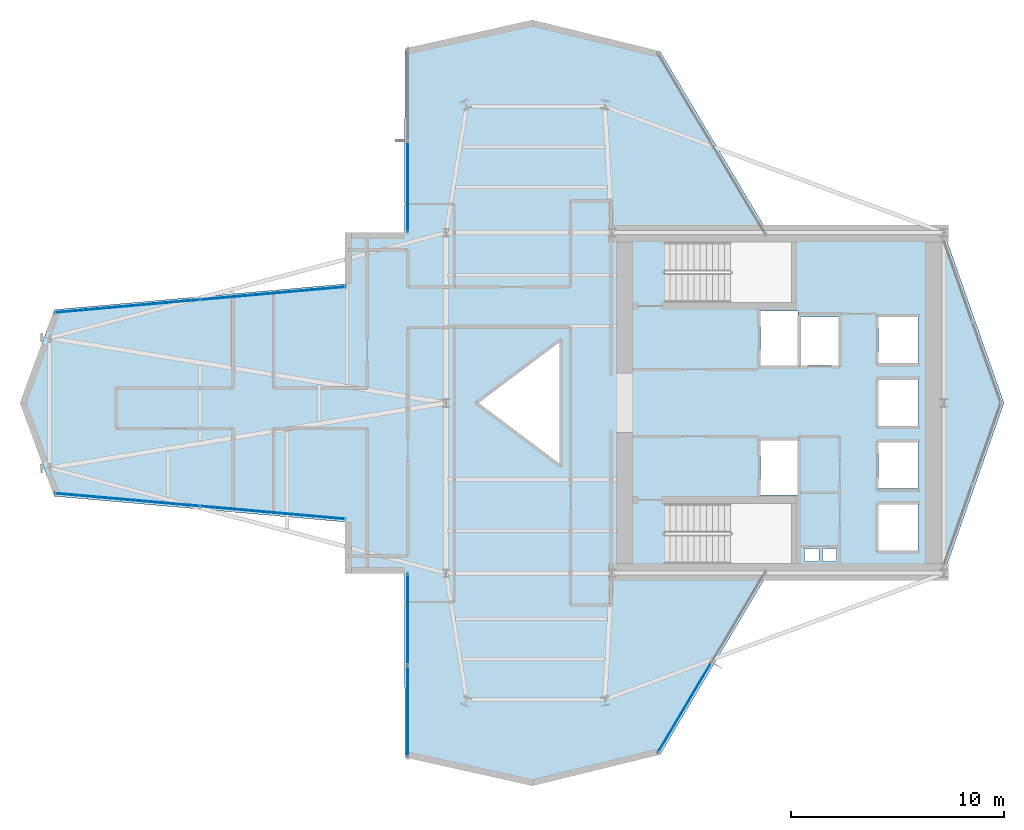
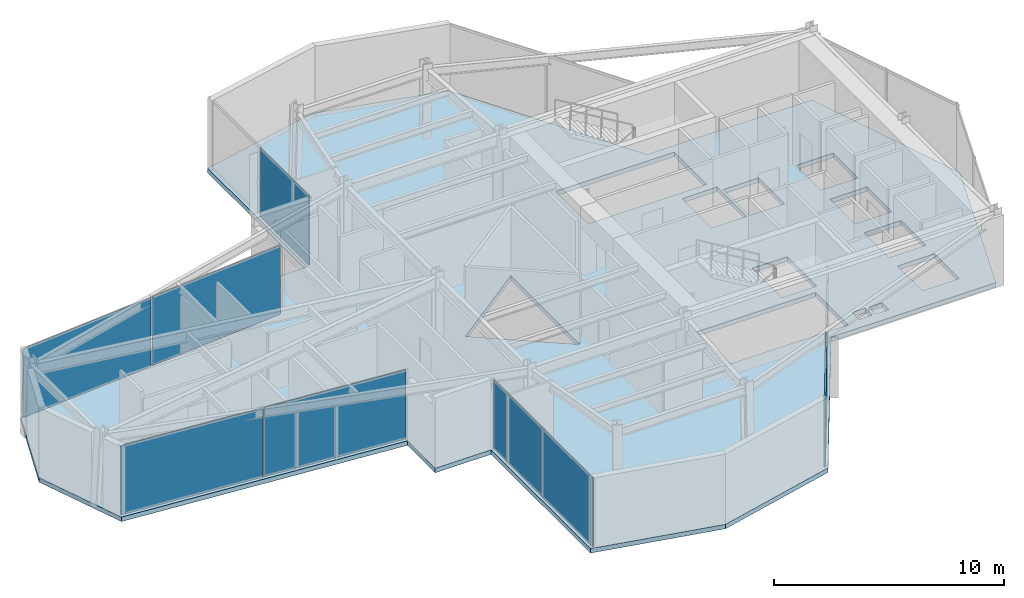
# One storey, part 18 of 23: 8 plates, 1 slab, 5 elements without a shape of their own.
"""IFC4 building model written with IfcOpenShell, lengths in metres."""

from ifc_helpers import new_model, si_unit, direction, frame, origin, origin_2d, place, context, subcontext, project, spatial, polyline, rectangle, outline, extrude, material, layer, layer_set, type_object, element, aggregate, save


model = new_model("IFC4")

# Units and contexts
model_context = context("Model", 3, precision=1e-05, world=origin(), true_north=direction((0.0, 1.0)))
body_context = subcontext(model_context, "Body", "Model", "MODEL_VIEW")
ifc_project = project(units=[si_unit("LENGTHUNIT", "METRE"), si_unit("AREAUNIT", "SQUARE_METRE"), si_unit("VOLUMEUNIT", "CUBIC_METRE"), si_unit("PLANEANGLEUNIT", "RADIAN"), si_unit("MASSUNIT", "GRAM", prefix="KILO")], contexts=[model_context])

# Site, building, storey
site_placement = place(None, origin())
site = spatial("IfcSite", under=ifc_project, at=site_placement, CompositionType="ELEMENT")
building_placement = place(site_placement, origin())
building = spatial("IfcBuilding", under=site, at=building_placement, Name="Veymaron Broadcast Tower", CompositionType="ELEMENT")
storey_placement = place(building_placement, frame((0.0, 0.0, 177.60009765625)))
storey = spatial("IfcBuildingStorey", under=building, at=storey_placement, Name="L41", CompositionType="ELEMENT", Elevation=177.60009765625)

# Curtain wall, plate
ifc_material_1 = material(Name="Anodised aluminium AA 6063-T6 and laminated low-E dark glass", Category="aluminium")
ifc_layer_1 = layer(ifc_material_1, 0.179931640625)
ifc_layer_set_1 = layer_set([ifc_layer_1], Name="Anodised aluminium AA 6063-T6 and laminated low-E dark glass")
curtain_wall_type = type_object("IfcCurtainWallType", Name="CW-SYS-03", PredefinedType="NOTDEFINED", material=ifc_layer_set_1)
curtain_wall_1_placement = place(storey_placement, origin())
curtain_wall_1 = element("IfcCurtainWall", 1, at=curtain_wall_1_placement, inside=storey, type_object=curtain_wall_type, Name="L41 dark-glass curtain wall CW-L41-E8-1", PredefinedType="NOTDEFINED")
ifc_material_2 = material(Name="Insulated dark-anodised aluminium spandrel panel 40 mm", Category="aluminium")
ifc_layer_2 = layer(ifc_material_2, 0.0400390625)
ifc_layer_set_2 = layer_set([ifc_layer_2], Name="Insulated dark-anodised aluminium spandrel panel 40 mm")
plate_type = type_object("IfcPlateType", Name="CW-PNL-03", PredefinedType="CURTAIN_PANEL", material=ifc_layer_set_2)
plate_1_placement = place(storey_placement, frame((29.397705078125, 34.160400390625, 0.0400390625), z_axis=(0.0, 0.0, 1.0), x_axis=(-0.000558505332, -0.999999844036, 0.0)))
plate_1 = element("IfcPlate", 2, at=plate_1_placement, type_object=plate_type, Name="CW-L41-E8-1 unitised curtain panel 1", PredefinedType="CURTAIN_PANEL", context=body_context, shape_type="SweptSolid", body=[
    extrude(rectangle(XDim=4.260986328125, YDim=0.0400390625, at=origin_2d()), origin(), (0.0, 0.0, 1.0), 3.64990234375),
])
aggregate(curtain_wall_1, [plate_1])

# Curtain wall, plates
curtain_wall_2_placement = place(storey_placement, origin())
curtain_wall_2 = element("IfcCurtainWall", 3, at=curtain_wall_2_placement, inside=storey, type_object=curtain_wall_type, Name="L41 dark-glass curtain wall CW-L41-E11-1", PredefinedType="NOTDEFINED")
plate_2_placement = place(storey_placement, frame((23.05419921875, 29.151611328125, 0.0400390625), z_axis=(0.0, 0.0, 1.0), x_axis=(-0.996110575617, -0.088111980706, 0.0)))
plate_2 = element("IfcPlate", 4, at=plate_2_placement, type_object=plate_type, Name="CW-L41-E11-1 unitised curtain panel 0", PredefinedType="CURTAIN_PANEL", context=body_context, shape_type="SweptSolid", body=[
    extrude(rectangle(XDim=6.794677734375, YDim=0.0400390625, at=origin_2d()), origin(), (0.0, 0.0, 1.0), 3.64990234375),
])
plate_3_placement = place(storey_placement, frame((16.226318359375, 28.547607421875, 0.0400390625), z_axis=(0.0, 0.0, 1.0), x_axis=(-0.996110575617, -0.088111980706, 0.0)))
plate_3 = element("IfcPlate", 5, at=plate_3_placement, type_object=plate_type, Name="CW-L41-E11-1 unitised curtain panel 1", PredefinedType="CURTAIN_PANEL", context=body_context, shape_type="SweptSolid", body=[
    extrude(rectangle(XDim=6.794677734375, YDim=0.0400390625, at=origin_2d()), origin(), (0.0, 0.0, 1.0), 3.64990234375),
])
aggregate(curtain_wall_2, [plate_2, plate_3])

curtain_wall_3_placement = place(storey_placement, origin())
curtain_wall_3 = element("IfcCurtainWall", 6, at=curtain_wall_3_placement, inside=storey, type_object=curtain_wall_type, Name="L41 dark-glass curtain wall CW-L41-E14-1", PredefinedType="NOTDEFINED")
plate_4_placement = place(storey_placement, frame((16.226318359375, 19.452392578125, 0.0400390625), z_axis=(0.0, 0.0, 1.0), x_axis=(0.996110575617, -0.088111980706, 0.0)))
plate_4 = element("IfcPlate", 7, at=plate_4_placement, type_object=plate_type, Name="CW-L41-E14-1 unitised curtain panel 0", PredefinedType="CURTAIN_PANEL", context=body_context, shape_type="SweptSolid", body=[
    extrude(rectangle(XDim=6.794677734375, YDim=0.0400390625, at=origin_2d()), origin(), (0.0, 0.0, 1.0), 3.64990234375),
])
plate_5_placement = place(storey_placement, frame((23.05419921875, 18.848388671875, 0.0400390625), z_axis=(0.0, 0.0, 1.0), x_axis=(0.996110575617, -0.088111980706, 0.0)))
plate_5 = element("IfcPlate", 8, at=plate_5_placement, type_object=plate_type, Name="CW-L41-E14-1 unitised curtain panel 1", PredefinedType="CURTAIN_PANEL", context=body_context, shape_type="SweptSolid", body=[
    extrude(rectangle(XDim=6.794677734375, YDim=0.0400390625, at=origin_2d()), origin(), (0.0, 0.0, 1.0), 3.64990234375),
])
aggregate(curtain_wall_3, [plate_4, plate_5])

curtain_wall_4_placement = place(storey_placement, origin())
curtain_wall_4 = element("IfcCurtainWall", 9, at=curtain_wall_4_placement, inside=storey, type_object=curtain_wall_type, Name="L41 dark-glass curtain wall CW-L41-E17-1", PredefinedType="NOTDEFINED")
plate_6_placement = place(storey_placement, frame((29.397705078125, 13.839599609375, 0.0400390625), z_axis=(0.0, 0.0, 1.0), x_axis=(0.000558505332, -0.999999844036, 0.0)))
plate_6 = element("IfcPlate", 10, at=plate_6_placement, type_object=plate_type, Name="CW-L41-E17-1 unitised curtain panel 0", PredefinedType="CURTAIN_PANEL", context=body_context, shape_type="SweptSolid", body=[
    extrude(rectangle(XDim=4.260986328125, YDim=0.0400390625, at=origin_2d()), origin(), (0.0, 0.0, 1.0), 3.64990234375),
])
plate_7_placement = place(storey_placement, frame((29.400146484375, 9.5185546875, 0.0400390625), z_axis=(0.0, 0.0, 1.0), x_axis=(0.000558505332, -0.999999844036, 0.0)))
plate_7 = element("IfcPlate", 11, at=plate_7_placement, type_object=plate_type, Name="CW-L41-E17-1 unitised curtain panel 1", PredefinedType="CURTAIN_PANEL", context=body_context, shape_type="SweptSolid", body=[
    extrude(rectangle(XDim=4.260986328125, YDim=0.0400390625, at=origin_2d()), origin(), (0.0, 0.0, 1.0), 3.64990234375),
])
aggregate(curtain_wall_4, [plate_6, plate_7])

# Curtain wall, plate
curtain_wall_5_placement = place(storey_placement, origin())
curtain_wall_5 = element("IfcCurtainWall", 12, at=curtain_wall_5_placement, inside=storey, type_object=curtain_wall_type, Name="L41 dark-glass curtain wall CW-L41-E20-1", PredefinedType="NOTDEFINED")
plate_8_placement = place(storey_placement, frame((42.40771484375, 9.690673828125, 0.0400390625), z_axis=(0.0, 0.0, 1.0), x_axis=(0.511263086823, 0.859424258473, 0.0)))
plate_8 = element("IfcPlate", 13, at=plate_8_placement, type_object=plate_type, Name="CW-L41-E20-1 unitised curtain panel 0", PredefinedType="CURTAIN_PANEL", context=body_context, shape_type="SweptSolid", body=[
    extrude(rectangle(XDim=4.889892578125, YDim=0.0400390625, at=origin_2d()), origin(), (0.0, 0.0, 1.0), 3.64990234375),
])
aggregate(curtain_wall_5, [plate_8])

# Slab
ifc_material_3 = material(Name="Concrete C40/50", Category="concrete")
ifc_layer_3 = layer(ifc_material_3, 0.239990234375)
ifc_layer_set_3 = layer_set([ifc_layer_3], Name="Concrete C40/50")
slab_type = type_object("IfcSlabType", Name="SLAB-FS6", PredefinedType="FLOOR", material=ifc_layer_set_3)
slab_placement = place(storey_placement, frame((0.0, 0.0, -0.239990234375)))
element("IfcSlab", 14, at=slab_placement, inside=storey, type_object=slab_type, Name="L41 structural floor slab", PredefinedType="FLOOR", context=body_context, shape_type="SweptSolid", body=[
    extrude(outline(polyline([(46.32421875, 16.0), (54.60009765625, 16.0), (57.4140625, 24.0), (54.60009765625, 32.0), (46.32421875, 32.0), (41.2626953125, 40.508056640625), (35.261962890625, 41.98193359375), (29.26123046875, 40.64208984375), (29.25634765625, 32.0), (26.4560546875, 32.0), (26.4560546875, 29.593017578125), (12.800048828125, 28.385009765625), (11.19189453125, 24.0), (12.800048828125, 19.614990234375), (26.4560546875, 18.406982421875), (26.4560546875, 16.0), (29.25634765625, 16.0), (29.26123046875, 7.35791015625), (35.261962890625, 6.01806640625), (41.2626953125, 7.491943359375), (46.32421875, 16.0)]), holes=[polyline([(45.969970703125, 28.330078125), (47.72998046875, 28.330078125), (47.72998046875, 25.77001953125), (45.969970703125, 25.77001953125), (45.969970703125, 28.330078125)]), polyline([(45.969970703125, 22.22998046875), (47.72998046875, 22.22998046875), (47.72998046875, 19.669921875), (45.969970703125, 19.669921875), (45.969970703125, 22.22998046875)]), polyline([(47.8701171875, 28.030029296875), (49.6298828125, 28.030029296875), (49.6298828125, 25.77001953125), (47.8701171875, 25.77001953125), (47.8701171875, 28.030029296875)]), polyline([(51.52001953125, 28.030029296875), (53.3798828125, 28.030029296875), (53.3798828125, 25.8701171875), (51.52001953125, 25.8701171875), (51.52001953125, 28.030029296875)]), polyline([(51.52001953125, 22.1298828125), (53.3798828125, 22.1298828125), (53.3798828125, 19.969970703125), (51.52001953125, 19.969970703125), (51.52001953125, 22.1298828125)]), polyline([(51.52001953125, 25.080078125), (53.3798828125, 25.080078125), (53.3798828125, 22.919921875), (51.52001953125, 22.919921875), (51.52001953125, 25.080078125)]), polyline([(51.52001953125, 19.22998046875), (53.3798828125, 19.22998046875), (53.3798828125, 17.070068359375), (51.52001953125, 17.070068359375), (51.52001953125, 19.22998046875)]), polyline([(48.050048828125, 17.159912109375), (48.719970703125, 17.159912109375), (48.719970703125, 16.56005859375), (48.050048828125, 16.56005859375), (48.050048828125, 17.159912109375)]), polyline([(48.8798828125, 17.159912109375), (49.550048828125, 17.159912109375), (49.550048828125, 16.56005859375), (48.8798828125, 16.56005859375), (48.8798828125, 17.159912109375)]), polyline([(36.60009765625, 27.0), (36.60009765625, 21.0), (32.60009765625, 24.0), (36.60009765625, 27.0)]), polyline([(41.489990234375, 31.550048828125), (47.43994140625, 31.550048828125), (47.43994140625, 28.72998046875), (41.489990234375, 28.72998046875), (41.489990234375, 31.550048828125)]), polyline([(41.489990234375, 19.27001953125), (47.43994140625, 19.27001953125), (47.43994140625, 16.449951171875), (41.489990234375, 16.449951171875), (41.489990234375, 19.27001953125)])]), origin(), (0.0, 0.0, 1.0), 0.239990234375),
])

save(model, "model.ifc")
